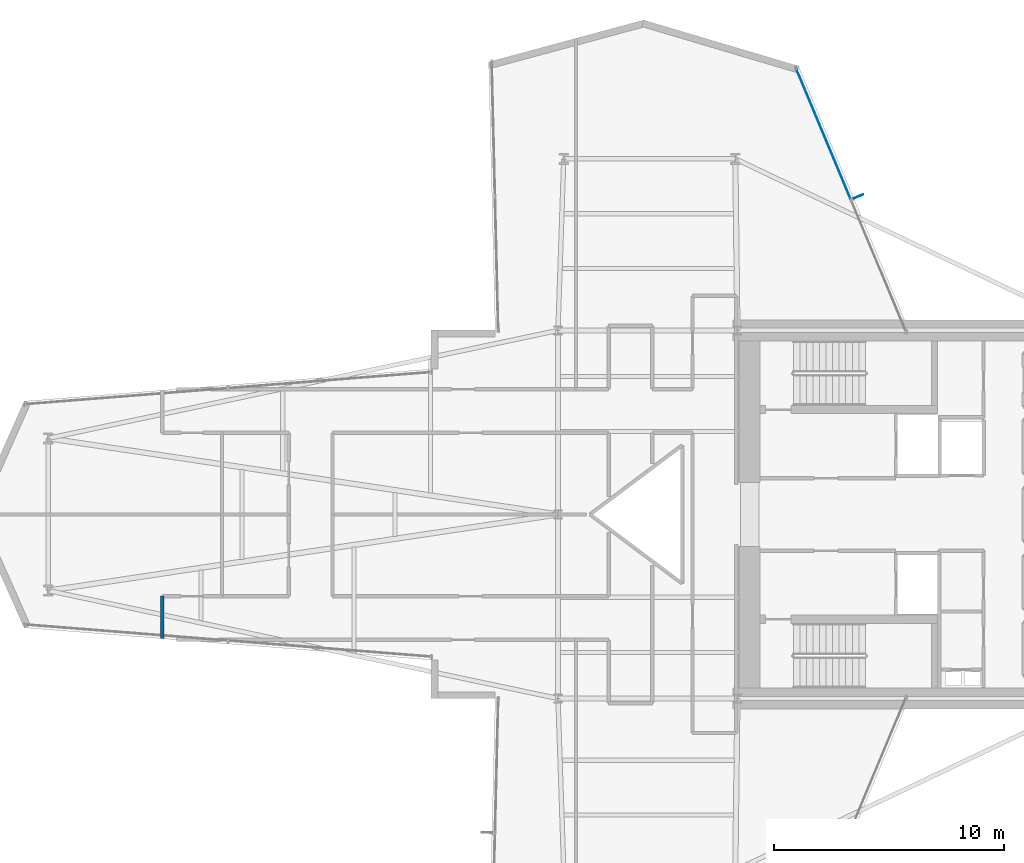
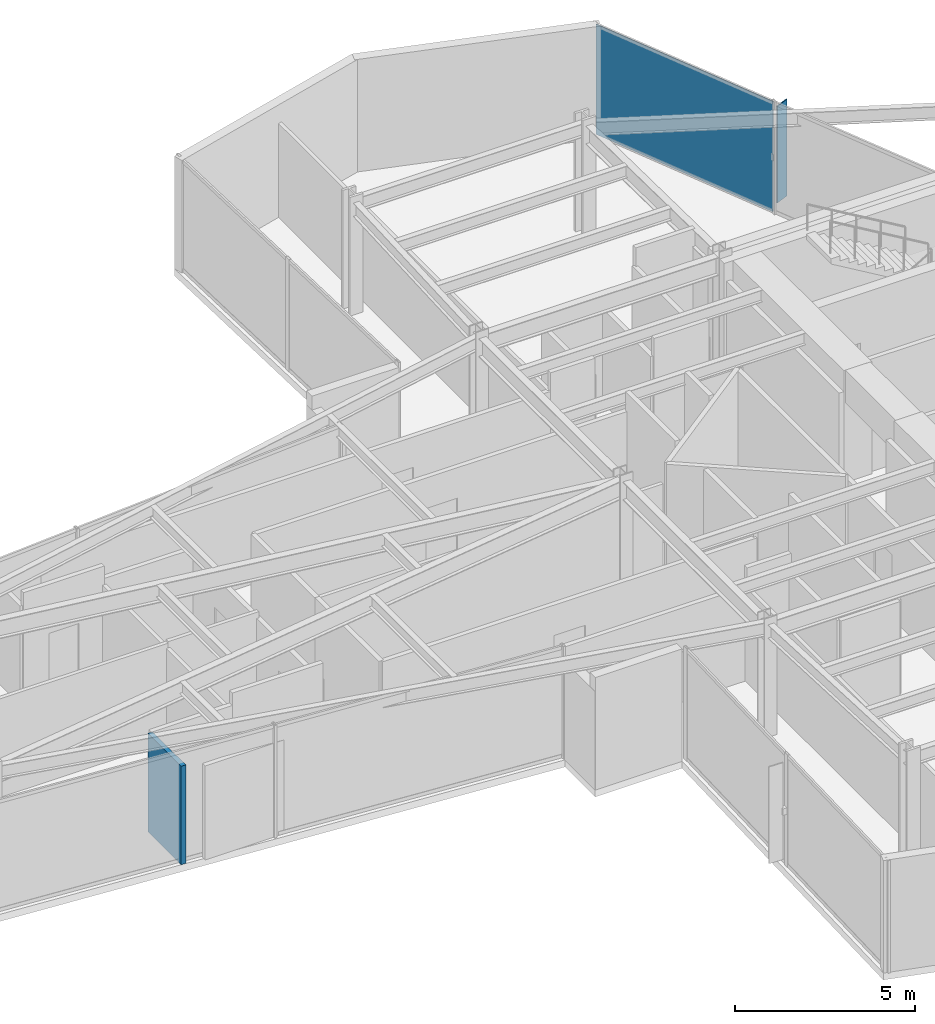
# One storey, part 21 of 25: 2 plates, 1 wall, 1 element without a shape of its own.
"""IFC4 building model written with IfcOpenShell, lengths in metres."""

from ifc_helpers import new_model, si_unit, direction, frame, frame_2d, origin, origin_2d, place, context, subcontext, project, spatial, rectangle, extrude, material, layer, layer_set, type_object, element, aggregate, save


model = new_model("IFC4")

# Units and contexts
model_context = context("Model", 3, precision=1e-05, world=origin(), true_north=direction((0.0, 1.0)))
body_context = subcontext(model_context, "Body", "Model", "MODEL_VIEW")
ifc_project = project(units=[si_unit("LENGTHUNIT", "METRE"), si_unit("AREAUNIT", "SQUARE_METRE"), si_unit("VOLUMEUNIT", "CUBIC_METRE"), si_unit("PLANEANGLEUNIT", "RADIAN"), si_unit("MASSUNIT", "GRAM", prefix="KILO")], contexts=[model_context])

# Site, building, storey
site_placement = place(None, origin())
site = spatial("IfcSite", under=ifc_project, at=site_placement, CompositionType="ELEMENT")
building_placement = place(site_placement, origin())
building = spatial("IfcBuilding", under=site, at=building_placement, Name="Veymaron Broadcast Tower", CompositionType="ELEMENT")
storey_placement = place(building_placement, frame((0.0, 0.0, 74.25)))
storey = spatial("IfcBuildingStorey", under=building, at=storey_placement, Name="L16", CompositionType="ELEMENT", Elevation=74.25)

# Curtain wall, plate
ifc_material_1 = material(Name="Anodised aluminium AA 6063-T6 and laminated low-E dark glass", Category="aluminium")
ifc_layer_1 = layer(ifc_material_1, 0.179931640625)
ifc_layer_set_1 = layer_set([ifc_layer_1], Name="Anodised aluminium AA 6063-T6 and laminated low-E dark glass")
curtain_wall_type = type_object("IfcCurtainWallType", Name="CW-SYS-02", PredefinedType="NOTDEFINED", material=ifc_layer_set_1)
curtain_wall_placement = place(storey_placement, origin())
curtain_wall = element("IfcCurtainWall", 1, at=curtain_wall_placement, inside=storey, type_object=curtain_wall_type, Name="L16 dark-glass curtain wall CW-L16-E5-1", PredefinedType="NOTDEFINED")
ifc_material_2 = material(Name="Double-silver solar-control dark glass IGU 32 mm", Category="glass")
ifc_layer_2 = layer(ifc_material_2, 0.031982421875)
ifc_layer_set_2 = layer_set([ifc_layer_2], Name="Double-silver solar-control dark glass IGU 32 mm")
plate_type_1 = type_object("IfcPlateType", Name="CW-PNL-02", PredefinedType="CURTAIN_PANEL", material=ifc_layer_set_2)
plate_1_placement = place(storey_placement, frame((42.73828125, 40.55908203125, 0.0400390625), z_axis=(0.0, 0.0, 1.0), x_axis=(-0.3854873681, 0.922713113072, 0.0)))
plate_1 = element("IfcPlate", 2, at=plate_1_placement, type_object=plate_type_1, Name="CW-L16-E5-1 unitised curtain panel 1", PredefinedType="CURTAIN_PANEL", context=body_context, shape_type="SweptSolid", body=[
    extrude(rectangle(XDim=6.1630859375, YDim=0.031982421875, at=origin_2d()), origin(), (0.0, 0.0, 1.0), 3.72998046875),
])
aggregate(curtain_wall, [plate_1])

# Plate
ifc_material_3 = material(Name="Dark-anodised aluminium AA 6061-T6", Category="aluminium")
ifc_layer_3 = layer(ifc_material_3, 0.034912109375)
ifc_layer_set_3 = layer_set([ifc_layer_3], Name="Dark-anodised aluminium AA 6061-T6")
plate_type_2 = type_object("IfcPlateType", Name="FIN-CHEV-01", PredefinedType="USERDEFINED", material=ifc_layer_set_3)
plate_2_placement = place(storey_placement, frame((44.265380859375, 37.82470703125, 0.2666015625), z_axis=(0.0, 0.0, 1.0), x_axis=(0.922713113072, 0.3854873681, 0.0)))
element("IfcPlate", 3, at=plate_2_placement, inside=storey, type_object=plate_type_2, Name="CW-L16-E5-1 chevron fin 1", ObjectType="FIN", PredefinedType="USERDEFINED", context=body_context, shape_type="SweptSolid", body=[
    extrude(rectangle(XDim=0.449951171875, YDim=0.034912109375, at=origin_2d()), origin(), (0.0, 0.0, 1.0), 3.276611328125),
])

# Wall
ifc_material_4 = material(Name="Gypsum fireboard and steel stud framing", Category="steel")
ifc_layer_4 = layer(ifc_material_4, 0.14990234375)
ifc_layer_set_4 = layer_set([ifc_layer_4], Name="Gypsum fireboard and steel stud framing")
wall_type = type_object("IfcWallType", Name="WALL-FIRE-150", PredefinedType="PARTITIONING", material=ifc_layer_set_4)
wall_placement = place(storey_placement, frame((14.0, 18.59912109375, 0.0), z_axis=(0.0, 0.0, 1.0), x_axis=(0.0, 1.0, 0.0)))
element("IfcWall", 4, at=wall_placement, inside=storey, type_object=wall_type, Name="L16 partition IW-L16-P12", PredefinedType="PARTITIONING", context=body_context, shape_type="SweptSolid", body=[
    extrude(rectangle(XDim=1.850830078125, YDim=0.14990234375, at=frame_2d((0.92529296875, 0.0))), origin(), (0.0, 0.0, 1.0), 3.337890625),
])

save(model, "model.ifc")
